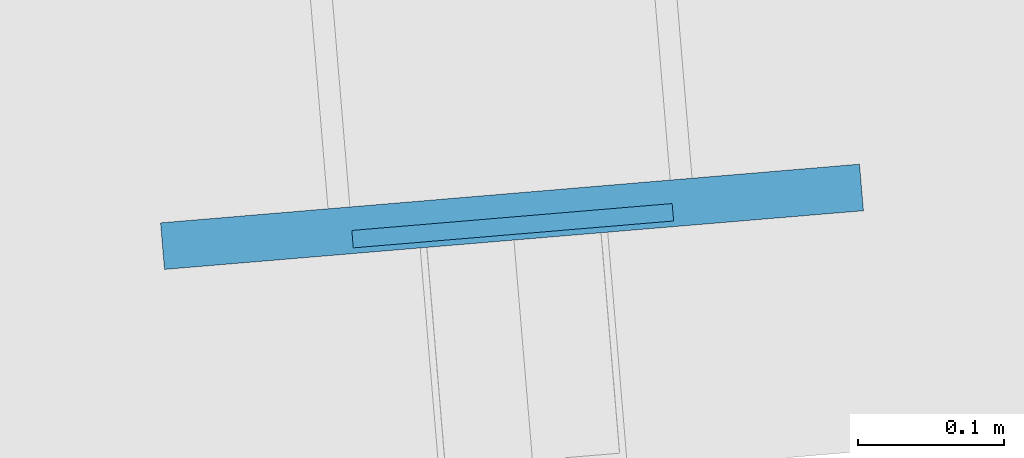
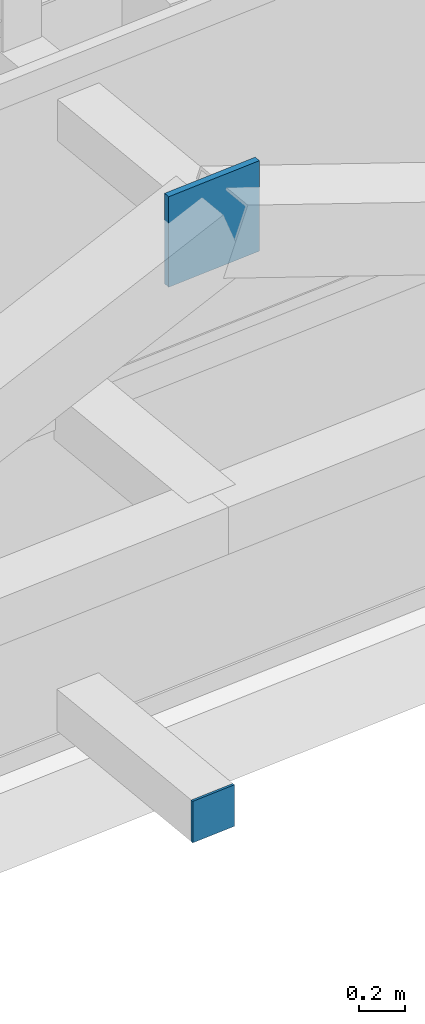
# One storey, part 26 of 38: 2 plates.
"""IFC4 building model written with IfcOpenShell, lengths in metres."""

from ifc_helpers import new_model, si_unit, direction, frame, origin, origin_2d, place, context, subcontext, project, spatial, rectangle, extrude, source, transform, mapped, material, layer, layer_set, type_object, element, save


model = new_model("IFC4")

# Units and contexts
model_context = context("Model", 3, precision=1e-05, world=origin(), true_north=direction((0.0, 1.0)))
body_context = subcontext(model_context, "Body", "Model", "MODEL_VIEW")
ifc_project = project(units=[si_unit("LENGTHUNIT", "METRE"), si_unit("AREAUNIT", "SQUARE_METRE"), si_unit("VOLUMEUNIT", "CUBIC_METRE"), si_unit("PLANEANGLEUNIT", "RADIAN"), si_unit("MASSUNIT", "GRAM", prefix="KILO")], contexts=[model_context])

# Site, building, storey
site_placement = place(None, origin())
site = spatial("IfcSite", under=ifc_project, at=site_placement, CompositionType="ELEMENT")
building_placement = place(site_placement, origin())
building = spatial("IfcBuilding", under=site, at=building_placement, Name="Taldren Reach Tower", CompositionType="ELEMENT")
storey_placement = place(building_placement, frame((0.0, 0.0, 168.699951171875)))
storey = spatial("IfcBuildingStorey", under=building, at=storey_placement, Name="L51", CompositionType="ELEMENT", Elevation=168.699951171875)

# Plates
ifc_material = material(Name="Steel Gr 450 (C450L0)", Category="steel")
ifc_layer_1 = layer(ifc_material, 0.031982421875)
ifc_layer_set_1 = layer_set([ifc_layer_1], Name="Steel Gr 450 (C450L0)")
plate_type_1 = type_object("IfcPlateType", Name="PL-GUSSET-32", PredefinedType="SHEET", material=ifc_layer_set_1)
shared_shape_1 = source(origin(), body_context, "Body", "SweptSolid", [
    extrude(rectangle(XDim=0.47998046875, YDim=0.031982421875, at=origin_2d()), origin(), (0.0, 0.0, 1.0), 0.47998046875),
])
plate_1_placement = place(storey_placement, frame((34.471923828125, 1.91845703125, 3.110107421875), z_axis=(0.0, 0.0, 1.0), x_axis=(0.99649285925, 0.083677843332, 0.0)))
element("IfcPlate", 1, at=plate_1_placement, inside=storey, type_object=plate_type_1, Name="Exoskeleton star-node gusset plate B4-S3 L51", PredefinedType="SHEET", context=body_context, shape_type="MappedRepresentation", body=[
    mapped(shared_shape_1, transform((0.0, 0.0, 0.0), scale=1.0)),
])
ifc_layer_2 = layer(ifc_material, 0.011962890625)
ifc_layer_set_2 = layer_set([ifc_layer_2], Name="Steel Gr 450 (C450L0)")
plate_type_2 = type_object("IfcPlateType", Name="PL-CAP-220", PredefinedType="SHEET", material=ifc_layer_set_2)
shared_shape_2 = source(origin(), body_context, "Body", "SweptSolid", [
    extrude(rectangle(XDim=0.219970703125, YDim=0.011962890625, at=origin_2d()), origin(), (0.0, 0.0, 1.0), 0.219970703125),
])
plate_2_placement = place(storey_placement, frame((34.472412109375, 1.912353515625, 0.10986328125), z_axis=(0.0, 0.0, 1.0), x_axis=(0.99649285925, 0.083677843332, 0.0)))
element("IfcPlate", 2, at=plate_2_placement, inside=storey, type_object=plate_type_2, Name="Tie strut end cap plate B4-S3 L51", PredefinedType="SHEET", context=body_context, shape_type="MappedRepresentation", body=[
    mapped(shared_shape_2, transform((0.0, 0.0, 0.0), scale=1.0)),
])

save(model, "model.ifc")
